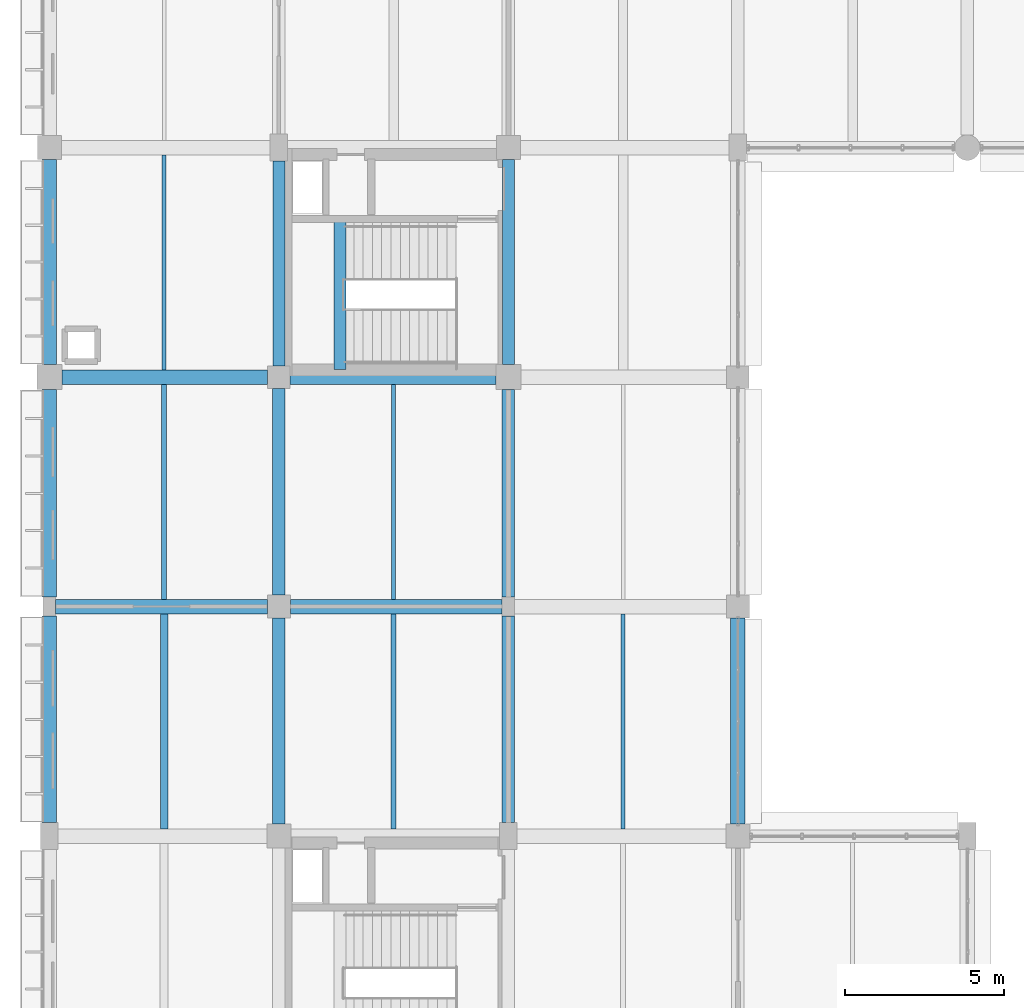
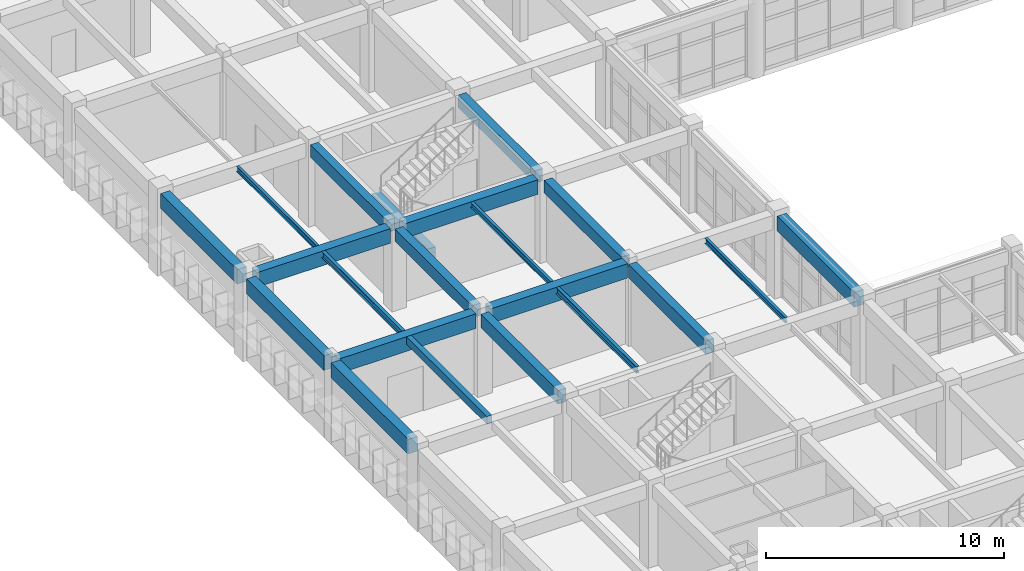
# One storey, part 19 of 171: 21 beams.
"""IFC4 building model written with IfcOpenShell, lengths in metres."""

from ifc_helpers import new_model, si_unit, direction, frame, origin, origin_2d, place, context, subcontext, project, spatial, rectangle, i_section, extrude, material, material_profile, profile_set, type_object, element, save


model = new_model("IFC4")

# Units and contexts
model_context = context("Model", 3, precision=1e-05, world=origin(), true_north=direction((0.0, 1.0)))
body_context = subcontext(model_context, "Body", "Model", "MODEL_VIEW")
ifc_project = project(units=[si_unit("LENGTHUNIT", "METRE"), si_unit("AREAUNIT", "SQUARE_METRE"), si_unit("VOLUMEUNIT", "CUBIC_METRE"), si_unit("PLANEANGLEUNIT", "RADIAN"), si_unit("MASSUNIT", "GRAM", prefix="KILO")], contexts=[model_context])

# Site, building, storey
site_placement = place(None, origin())
site = spatial("IfcSite", under=ifc_project, at=site_placement, CompositionType="ELEMENT")
building_placement = place(site_placement, origin())
building = spatial("IfcBuilding", under=site, at=building_placement, Name="Thalmaran Polytechnic", CompositionType="ELEMENT")
storey_placement = place(building_placement, frame((0.0, 0.0, 5.39990234375)))
storey = spatial("IfcBuildingStorey", under=building, at=storey_placement, Name="L01", CompositionType="ELEMENT", Elevation=5.39990234375)

# Beams
ifc_material_1 = material(Name="Concrete C40/50", Category="concrete")
ifc_material_profile_1 = material_profile(ifc_material_1, rectangle(XDim=0.449951171875, YDim=0.75, at=origin_2d()), Name="RC 450x750")
ifc_profile_set_1 = profile_set([ifc_material_profile_1], Name="Concrete C40/50")
beam_type_1 = type_object("IfcBeamType", Name="BM-RC03", PredefinedType="BEAM", material=ifc_profile_set_1)
beam_1_placement = place(storey_placement, frame((0.199951171875, 36.0, 3.835205078125), z_axis=(1.0, 0.0, 0.0), x_axis=(0.0, 1.0, 0.0)))
element("IfcBeam", 1, at=beam_1_placement, inside=storey, type_object=beam_type_1, Name="Grid Beam B03 L01 X(0,5)", PredefinedType="BEAM", context=body_context, shape_type="SweptSolid", body=[
    extrude(rectangle(XDim=0.449951171875, YDim=0.75, at=origin_2d()), origin(), (0.0, 0.0, 1.0), 6.64013671875),
])
beam_2_placement = place(storey_placement, frame((0.389892578125, 43.199951171875, 3.835205078125), z_axis=(1.0, 0.0, 0.0), x_axis=(0.0, 1.0, 0.0)))
element("IfcBeam", 2, at=beam_2_placement, inside=storey, type_object=beam_type_1, Name="Grid Beam B03 L01 X(0,6)", PredefinedType="BEAM", context=body_context, shape_type="SweptSolid", body=[
    extrude(rectangle(XDim=0.449951171875, YDim=0.75, at=origin_2d()), origin(), (0.0, 0.0, 1.0), 6.460205078125),
])
ifc_material_profile_2 = material_profile(ifc_material_1, rectangle(XDim=0.39990234375, YDim=0.6298828125, at=origin_2d()), Name="RC 400x630")
ifc_profile_set_2 = profile_set([ifc_material_profile_2], Name="Concrete C40/50")
beam_type_2 = type_object("IfcBeamType", Name="BM-RC07", PredefinedType="BEAM", material=ifc_profile_set_2)
beam_3_placement = place(storey_placement, frame((7.199951171875, 36.360107421875, 3.89501953125), z_axis=(0.0, 1.0, 0.0), x_axis=(-1.0, 0.0, 0.0)))
element("IfcBeam", 3, at=beam_3_placement, inside=storey, type_object=beam_type_2, Name="Grid Beam B07 L01 Y(1,5)", PredefinedType="BEAM", context=body_context, shape_type="SweptSolid", body=[
    extrude(rectangle(XDim=0.39990234375, YDim=0.6298828125, at=origin_2d()), origin(), (0.0, 0.0, 1.0), 6.489990234375),
])
beam_4_placement = place(storey_placement, frame((14.39990234375, 36.300048828125, 3.89501953125), z_axis=(0.0, 1.0, 0.0), x_axis=(-1.0, 0.0, 0.0)))
element("IfcBeam", 4, at=beam_4_placement, inside=storey, type_object=beam_type_2, Name="Grid Beam B07 L01 Y(2,5)", PredefinedType="BEAM", context=body_context, shape_type="SweptSolid", body=[
    extrude(rectangle(XDim=0.39990234375, YDim=0.6298828125, at=origin_2d()), origin(), (0.0, 0.0, 1.0), 6.510009765625),
])
ifc_material_profile_3 = material_profile(ifc_material_1, rectangle(XDim=0.389892578125, YDim=0.695068359375, at=origin_2d()), Name="RC 390x695")
ifc_profile_set_3 = profile_set([ifc_material_profile_3], Name="Concrete C40/50")
beam_type_3 = type_object("IfcBeamType", Name="BM-RC10", PredefinedType="BEAM", material=ifc_profile_set_3)
beam_5_placement = place(storey_placement, frame((7.199951171875, 29.175048828125, 3.862548828125), z_axis=(0.0, 1.0, 0.0), x_axis=(-1.0, 0.0, 0.0)))
element("IfcBeam", 5, at=beam_5_placement, inside=storey, type_object=beam_type_3, Name="Grid Beam B10 L01 Y(1,4)", PredefinedType="BEAM", context=body_context, shape_type="SweptSolid", body=[
    extrude(rectangle(XDim=0.389892578125, YDim=0.695068359375, at=origin_2d()), origin(), (0.0, 0.0, 1.0), 6.46484375),
])
beam_6_placement = place(storey_placement, frame((14.39990234375, 29.22509765625, 3.862548828125), z_axis=(0.0, 1.0, 0.0), x_axis=(-1.0, 0.0, 0.0)))
element("IfcBeam", 6, at=beam_6_placement, inside=storey, type_object=beam_type_3, Name="Grid Beam B10 L01 Y(2,4)", PredefinedType="BEAM", context=body_context, shape_type="SweptSolid", body=[
    extrude(rectangle(XDim=0.389892578125, YDim=0.695068359375, at=origin_2d()), origin(), (0.0, 0.0, 1.0), 6.474853515625),
])
beam_7_placement = place(storey_placement, frame((9.1201171875, 43.43994140625, 1.7900390625), z_axis=(0.0, 1.0, 0.0), x_axis=(-1.0, 0.0, 0.0)))
element("IfcBeam", 7, at=beam_7_placement, inside=storey, type_object=beam_type_3, Name="ST4 L01 Half-Landing Trimmer Beam", PredefinedType="BEAM", context=body_context, shape_type="SweptSolid", body=[
    extrude(rectangle(XDim=0.389892578125, YDim=0.695068359375, at=origin_2d()), origin(), (0.0, 0.0, 1.0), 4.699951171875),
])
ifc_material_2 = material(Name="Steel S355", Category="steel")
ifc_material_profile_4 = material_profile(ifc_material_2, i_section(OverallWidth=0.159912109375, OverallDepth=0.330078125, WebThickness=0.007568359375, FlangeThickness=0.011474609375, at=origin_2d()), Name="IPE 330")
ifc_profile_set_4 = profile_set([ifc_material_profile_4], Name="Steel S355")
beam_type_4 = type_object("IfcBeamType", Name="BM-SJ02", PredefinedType="JOIST", material=ifc_profile_set_4)
beam_8_placement = place(storey_placement, frame((3.60009765625, 36.22509765625, 4.045166015625), z_axis=(0.0, 1.0, 0.0), x_axis=(-1.0, 0.0, 0.0)))
element("IfcBeam", 8, at=beam_8_placement, inside=storey, type_object=beam_type_4, Name="Secondary Floor Rib SJ02 L01 (0,5)", PredefinedType="JOIST", context=body_context, shape_type="SweptSolid", body=[
    extrude(i_section(OverallWidth=0.159912109375, OverallDepth=0.330078125, WebThickness=0.007568359375, FlangeThickness=0.011474609375, at=origin_2d()), origin(), (0.0, 0.0, 1.0), 6.75),
])
beam_9_placement = place(storey_placement, frame((10.800048828125, 29.030029296875, 4.045166015625), z_axis=(0.0, 1.0, 0.0), x_axis=(-1.0, 0.0, 0.0)))
element("IfcBeam", 9, at=beam_9_placement, inside=storey, type_object=beam_type_4, Name="Secondary Floor Rib SJ02 L01 (1,4)", PredefinedType="JOIST", context=body_context, shape_type="SweptSolid", body=[
    extrude(i_section(OverallWidth=0.159912109375, OverallDepth=0.330078125, WebThickness=0.007568359375, FlangeThickness=0.011474609375, at=origin_2d()), origin(), (0.0, 0.0, 1.0), 6.739990234375),
])
ifc_material_profile_5 = material_profile(ifc_material_2, i_section(OverallWidth=0.135009765625, OverallDepth=0.27001953125, WebThickness=0.006591796875, FlangeThickness=0.01025390625, at=origin_2d()), Name="IPE 270")
ifc_profile_set_5 = profile_set([ifc_material_profile_5], Name="Steel S355")
beam_type_5 = type_object("IfcBeamType", Name="BM-SJ03", PredefinedType="JOIST", material=ifc_profile_set_5)
beam_10_placement = place(storey_placement, frame((3.60009765625, 43.425048828125, 4.0751953125), z_axis=(0.0, 1.0, 0.0), x_axis=(-1.0, 0.0, 0.0)))
element("IfcBeam", 10, at=beam_10_placement, inside=storey, type_object=beam_type_5, Name="Secondary Floor Rib SJ03 L01 (0,6)", PredefinedType="JOIST", context=body_context, shape_type="SweptSolid", body=[
    extrude(i_section(OverallWidth=0.135009765625, OverallDepth=0.27001953125, WebThickness=0.006591796875, FlangeThickness=0.01025390625, at=origin_2d()), origin(), (0.0, 0.0, 1.0), 6.75),
])
beam_11_placement = place(storey_placement, frame((10.800048828125, 36.22998046875, 4.0751953125), z_axis=(0.0, 1.0, 0.0), x_axis=(-1.0, 0.0, 0.0)))
element("IfcBeam", 11, at=beam_11_placement, inside=storey, type_object=beam_type_5, Name="Secondary Floor Rib SJ03 L01 (1,5)", PredefinedType="JOIST", context=body_context, shape_type="SweptSolid", body=[
    extrude(i_section(OverallWidth=0.135009765625, OverallDepth=0.27001953125, WebThickness=0.006591796875, FlangeThickness=0.01025390625, at=origin_2d()), origin(), (0.0, 0.0, 1.0), 6.739990234375),
])
beam_12_placement = place(storey_placement, frame((18.0, 29.02490234375, 4.0751953125), z_axis=(0.0, 1.0, 0.0), x_axis=(-1.0, 0.0, 0.0)))
element("IfcBeam", 12, at=beam_12_placement, inside=storey, type_object=beam_type_5, Name="Secondary Floor Rib SJ03 L01 (2,4)", PredefinedType="JOIST", context=body_context, shape_type="SweptSolid", body=[
    extrude(i_section(OverallWidth=0.135009765625, OverallDepth=0.27001953125, WebThickness=0.006591796875, FlangeThickness=0.01025390625, at=origin_2d()), origin(), (0.0, 0.0, 1.0), 6.75),
])
ifc_material_profile_6 = material_profile(ifc_material_1, rectangle(XDim=0.449951171875, YDim=0.7548828125, at=origin_2d()), Name="RC 450x755")
ifc_profile_set_6 = profile_set([ifc_material_profile_6], Name="Concrete C40/50")
beam_type_6 = type_object("IfcBeamType", Name="BM-SP02", PredefinedType="SPANDREL", material=ifc_profile_set_6)
beam_13_placement = place(storey_placement, frame((0.0, 29.22509765625, 3.83251953125), z_axis=(0.0, 1.0, 0.0), x_axis=(-1.0, 0.0, 0.0)))
element("IfcBeam", 13, at=beam_13_placement, inside=storey, type_object=beam_type_6, Name="Grid Beam SP02 L01 Y(0,4)", PredefinedType="SPANDREL", context=body_context, shape_type="SweptSolid", body=[
    extrude(rectangle(XDim=0.449951171875, YDim=0.7548828125, at=origin_2d()), origin(), (0.0, 0.0, 1.0), 6.474853515625),
])
beam_14_placement = place(storey_placement, frame((0.0, 36.300048828125, 3.83251953125), z_axis=(0.0, 1.0, 0.0), x_axis=(-1.0, 0.0, 0.0)))
element("IfcBeam", 14, at=beam_14_placement, inside=storey, type_object=beam_type_6, Name="Grid Beam SP02 L01 Y(0,5)", PredefinedType="SPANDREL", context=body_context, shape_type="SweptSolid", body=[
    extrude(rectangle(XDim=0.449951171875, YDim=0.7548828125, at=origin_2d()), origin(), (0.0, 0.0, 1.0), 6.510009765625),
])
beam_15_placement = place(storey_placement, frame((0.0, 43.590087890625, 3.83251953125), z_axis=(0.0, 1.0, 0.0), x_axis=(-1.0, 0.0, 0.0)))
element("IfcBeam", 15, at=beam_15_placement, inside=storey, type_object=beam_type_6, Name="Grid Beam SP02 L01 Y(0,6)", PredefinedType="SPANDREL", context=body_context, shape_type="SweptSolid", body=[
    extrude(rectangle(XDim=0.449951171875, YDim=0.7548828125, at=origin_2d()), origin(), (0.0, 0.0, 1.0), 6.434814453125),
])
beam_16_placement = place(storey_placement, frame((21.60009765625, 29.175048828125, 3.83251953125), z_axis=(0.0, 1.0, 0.0), x_axis=(-1.0, 0.0, 0.0)))
element("IfcBeam", 16, at=beam_16_placement, inside=storey, type_object=beam_type_6, Name="Grid Beam SP02 L01 Y(3,4)", PredefinedType="SPANDREL", context=body_context, shape_type="SweptSolid", body=[
    extrude(rectangle(XDim=0.449951171875, YDim=0.7548828125, at=origin_2d()), origin(), (0.0, 0.0, 1.0), 6.46484375),
])
ifc_material_profile_7 = material_profile(ifc_material_1, rectangle(XDim=0.4599609375, YDim=0.739990234375, at=origin_2d()), Name="RC 460x740")
ifc_profile_set_7 = profile_set([ifc_material_profile_7], Name="Concrete C40/50")
beam_type_7 = type_object("IfcBeamType", Name="BM-ZB02", PredefinedType="BEAM", material=ifc_profile_set_7)
beam_17_placement = place(storey_placement, frame((7.56005859375, 36.0, 3.840087890625), z_axis=(1.0, 0.0, 0.0), x_axis=(0.0, 1.0, 0.0)))
element("IfcBeam", 17, at=beam_17_placement, inside=storey, type_object=beam_type_7, Name="Grid Beam ZB02 L01 X(1,5)", PredefinedType="BEAM", context=body_context, shape_type="SweptSolid", body=[
    extrude(rectangle(XDim=0.4599609375, YDim=0.739990234375, at=origin_2d()), origin(), (0.0, 0.0, 1.0), 6.639892578125),
])
beam_18_placement = place(storey_placement, frame((7.550048828125, 43.199951171875, 3.840087890625), z_axis=(1.0, 0.0, 0.0), x_axis=(0.0, 1.0, 0.0)))
element("IfcBeam", 18, at=beam_18_placement, inside=storey, type_object=beam_type_7, Name="Grid Beam ZB02 L01 X(1,6)", PredefinedType="BEAM", context=body_context, shape_type="SweptSolid", body=[
    extrude(rectangle(XDim=0.4599609375, YDim=0.739990234375, at=origin_2d()), origin(), (0.0, 0.0, 1.0), 6.4599609375),
])
ifc_material_profile_8 = material_profile(ifc_material_1, rectangle(XDim=0.3798828125, YDim=0.635009765625, at=origin_2d()), Name="RC 380x635")
ifc_profile_set_8 = profile_set([ifc_material_profile_8], Name="Concrete C40/50")
beam_type_8 = type_object("IfcBeamType", Name="BM-ZB06", PredefinedType="BEAM", material=ifc_profile_set_8)
beam_19_placement = place(storey_placement, frame((7.199951171875, 43.550048828125, 3.892578125), z_axis=(0.0, 1.0, 0.0), x_axis=(-1.0, 0.0, 0.0)))
element("IfcBeam", 19, at=beam_19_placement, inside=storey, type_object=beam_type_8, Name="Grid Beam ZB06 L01 Y(1,6)", PredefinedType="BEAM", context=body_context, shape_type="SweptSolid", body=[
    extrude(rectangle(XDim=0.3798828125, YDim=0.635009765625, at=origin_2d()), origin(), (0.0, 0.0, 1.0), 6.425048828125),
])
beam_20_placement = place(storey_placement, frame((14.39990234375, 43.590087890625, 3.892578125), z_axis=(0.0, 1.0, 0.0), x_axis=(-1.0, 0.0, 0.0)))
element("IfcBeam", 20, at=beam_20_placement, inside=storey, type_object=beam_type_8, Name="Grid Beam ZB06 L01 Y(2,6)", PredefinedType="BEAM", context=body_context, shape_type="SweptSolid", body=[
    extrude(rectangle(XDim=0.3798828125, YDim=0.635009765625, at=origin_2d()), origin(), (0.0, 0.0, 1.0), 6.434814453125),
])
ifc_material_profile_9 = material_profile(ifc_material_1, rectangle(XDim=0.239990234375, YDim=0.39990234375, at=origin_2d()), Name="RC 240x400")
ifc_profile_set_9 = profile_set([ifc_material_profile_9], Name="Concrete C40/50")
beam_type_9 = type_object("IfcBeamType", Name="BM-ZJ04", PredefinedType="JOIST", material=ifc_profile_set_9)
beam_21_placement = place(storey_placement, frame((3.60009765625, 29.02490234375, 4.010009765625), z_axis=(0.0, 1.0, 0.0), x_axis=(-1.0, 0.0, 0.0)))
element("IfcBeam", 21, at=beam_21_placement, inside=storey, type_object=beam_type_9, Name="Secondary Floor Rib ZJ04 L01 (0,4)", PredefinedType="JOIST", context=body_context, shape_type="SweptSolid", body=[
    extrude(rectangle(XDim=0.239990234375, YDim=0.39990234375, at=origin_2d()), origin(), (0.0, 0.0, 1.0), 6.75),
])

save(model, "model.ifc")
